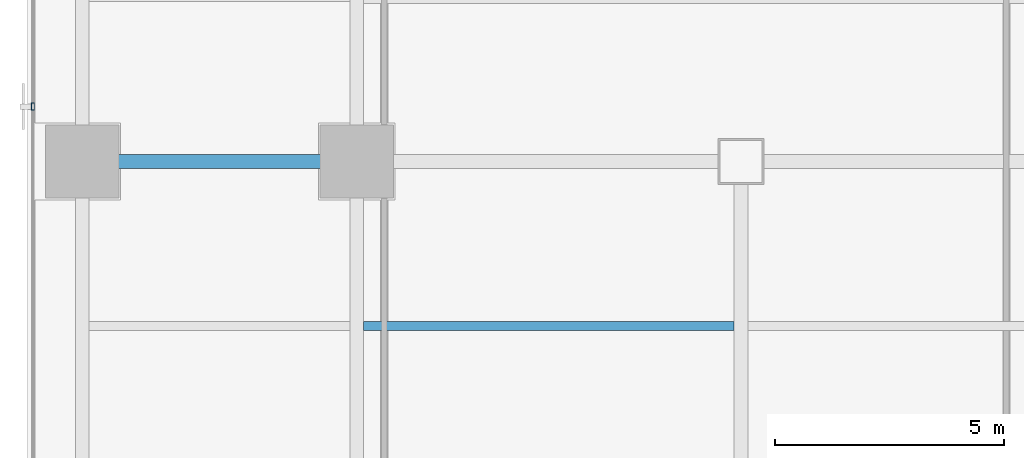
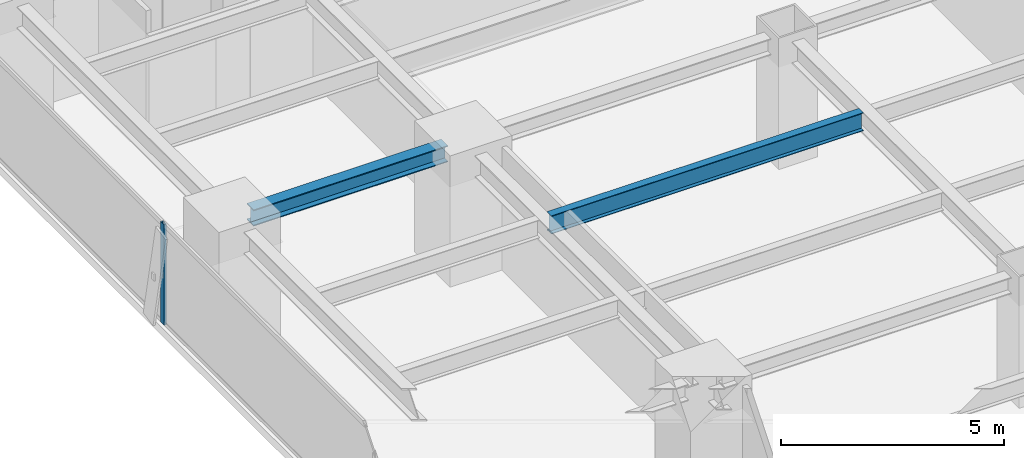
# One storey, part 7 of 27: 2 beams, 1 member, 1 element without a shape of its own.
"""IFC4 building model written with IfcOpenShell, lengths in metres."""

from ifc_helpers import new_model, si_unit, direction, frame, origin, origin_2d, place, context, subcontext, project, spatial, hollow_rectangle, i_section, extrude, source, transform, mapped, material, layer, layer_set, material_profile, profile_set, type_object, element, aggregate, save


model = new_model("IFC4")

# Units and contexts
model_context = context("Model", 3, precision=1e-05, world=origin(), true_north=direction((0.0, 1.0)))
body_context = subcontext(model_context, "Body", "Model", "MODEL_VIEW")
ifc_project = project(units=[si_unit("LENGTHUNIT", "METRE"), si_unit("AREAUNIT", "SQUARE_METRE"), si_unit("VOLUMEUNIT", "CUBIC_METRE"), si_unit("PLANEANGLEUNIT", "RADIAN"), si_unit("MASSUNIT", "GRAM", prefix="KILO")], contexts=[model_context])

# Site, building, storey
site_placement = place(None, origin())
site = spatial("IfcSite", under=ifc_project, at=site_placement, CompositionType="ELEMENT")
building_placement = place(site_placement, origin())
building = spatial("IfcBuilding", under=site, at=building_placement, Name="Sumidabori Civic Tower", CompositionType="ELEMENT")
storey_placement = place(building_placement, frame((0.0, 0.0, 135.199951171875)))
storey = spatial("IfcBuildingStorey", under=building, at=storey_placement, Name="L34", CompositionType="ELEMENT", Elevation=135.199951171875)

# Beams
ifc_material_1 = material(Name="Steel SN490", Category="steel")
ifc_material_profile_1 = material_profile(ifc_material_1, i_section(OverallWidth=0.199951171875, OverallDepth=0.5, WebThickness=0.01025390625, FlangeThickness=0.01611328125, at=origin_2d()), Name="IPE 500")
ifc_profile_set_1 = profile_set([ifc_material_profile_1], Name="Steel SN490")
beam_type_1 = type_object("IfcBeamType", Name="BM-JST-500", PredefinedType="JOIST", material=ifc_profile_set_1)
shared_shape_1 = source(origin(), body_context, "Body", "SweptSolid", [
    extrude(i_section(OverallWidth=0.199951171875, OverallDepth=0.5, WebThickness=0.01025390625, FlangeThickness=0.01611328125, at=origin_2d()), origin(), (0.0, 0.0, 1.0), 8.099853515625),
])
beam_1_placement = place(storey_placement, frame((-16.64990234375, -3.60009765625, 3.130126953125), z_axis=(1.0, 0.0, 0.0), x_axis=(0.0, 1.0, 0.0)))
element("IfcBeam", 1, at=beam_1_placement, inside=storey, type_object=beam_type_1, Name="South Bay Floor Joist L34 JSTS-57", PredefinedType="JOIST", context=body_context, shape_type="MappedRepresentation", body=[
    mapped(shared_shape_1, transform((0.0, 0.0, 0.0), x_axis=(1.0, 0.0, 0.0), y_axis=(0.0, 1.0, 0.0), z_axis=(0.0, 0.0, 1.0), scale=1.0)),
])
ifc_material_profile_2 = material_profile(ifc_material_1, i_section(OverallWidth=0.300048828125, OverallDepth=0.449951171875, WebThickness=0.013916015625, FlangeThickness=0.02587890625, at=origin_2d()), Name="HE 450 B")
ifc_profile_set_2 = profile_set([ifc_material_profile_2], Name="Steel SN490")
beam_type_2 = type_object("IfcBeamType", Name="BM-GIRD-450", PredefinedType="BEAM", material=ifc_profile_set_2)
shared_shape_2 = source(origin(), body_context, "Body", "SweptSolid", [
    extrude(i_section(OverallWidth=0.300048828125, OverallDepth=0.449951171875, WebThickness=0.013916015625, FlangeThickness=0.02587890625, at=origin_2d()), origin(), (0.0, 0.0, 1.0), 5.0400390625),
])
beam_2_placement = place(storey_placement, frame((-22.320068359375, 0.0, 3.155029296875), z_axis=(1.0, 0.0, 0.0), x_axis=(0.0, 1.0, 0.0)))
element("IfcBeam", 2, at=beam_2_placement, inside=storey, type_object=beam_type_2, Name="Primary Girder L34 GX-11", PredefinedType="BEAM", context=body_context, shape_type="MappedRepresentation", body=[
    mapped(shared_shape_2, transform((0.0, 0.0, 0.0), x_axis=(1.0, 0.0, 0.0), y_axis=(0.0, 1.0, 0.0), z_axis=(0.0, 0.0, 1.0), scale=1.0)),
])

# Curtain wall, member
ifc_material_2 = material(Name="Anodised Bronze Aluminium AW-6063-T6", Category="aluminium")
ifc_layer = layer(ifc_material_2, 0.179931640625, Name="Anodised Bronze Aluminium AW-6063-T6")
ifc_layer_set = layer_set([ifc_layer], Name="Anodised Bronze Aluminium AW-6063-T6")
curtain_wall_type = type_object("IfcCurtainWallType", Name="CW-SYS-3", PredefinedType="NOTDEFINED", material=ifc_layer_set)
curtain_wall_placement = place(storey_placement, origin())
curtain_wall = element("IfcCurtainWall", 3, at=curtain_wall_placement, inside=storey, type_object=curtain_wall_type, Name="Curtain Wall CW:L34:R10", PredefinedType="NOTDEFINED")
ifc_material_profile_3 = material_profile(ifc_material_2, hollow_rectangle(XDim=0.06494140625, YDim=0.159912109375, WallThickness=0.0048828125, at=origin_2d()), Name="ALU MULLION 160x65")
ifc_profile_set_3 = profile_set([ifc_material_profile_3], Name="Anodised Bronze Aluminium AW-6063-T6")
member_type = type_object("IfcMemberType", Name="CW-MUL-160", PredefinedType="MULLION", material=ifc_profile_set_3)
shared_shape_3 = source(origin(), body_context, "Body", "SweptSolid", [
    extrude(hollow_rectangle(XDim=0.06494140625, YDim=0.159912109375, WallThickness=0.0048828125, at=origin_2d()), origin(), (0.0, 0.0, 1.0), 2.760009765625),
])
member_placement = place(storey_placement, frame((-23.8798828125, 1.199951171875, 0.0), z_axis=(0.0, 0.0, 1.0), x_axis=(1.0, 0.0, 0.0)))
member = element("IfcMember", 4, at=member_placement, type_object=member_type, Name="CW-3 mullion 3", PredefinedType="MULLION", context=body_context, shape_type="MappedRepresentation", body=[
    mapped(shared_shape_3, transform((0.0, 0.0, 0.0), x_axis=(1.0, 0.0, 0.0), y_axis=(0.0, 1.0, 0.0), z_axis=(0.0, 0.0, 1.0), scale=1.0)),
])
aggregate(curtain_wall, [member])

save(model, "model.ifc")
